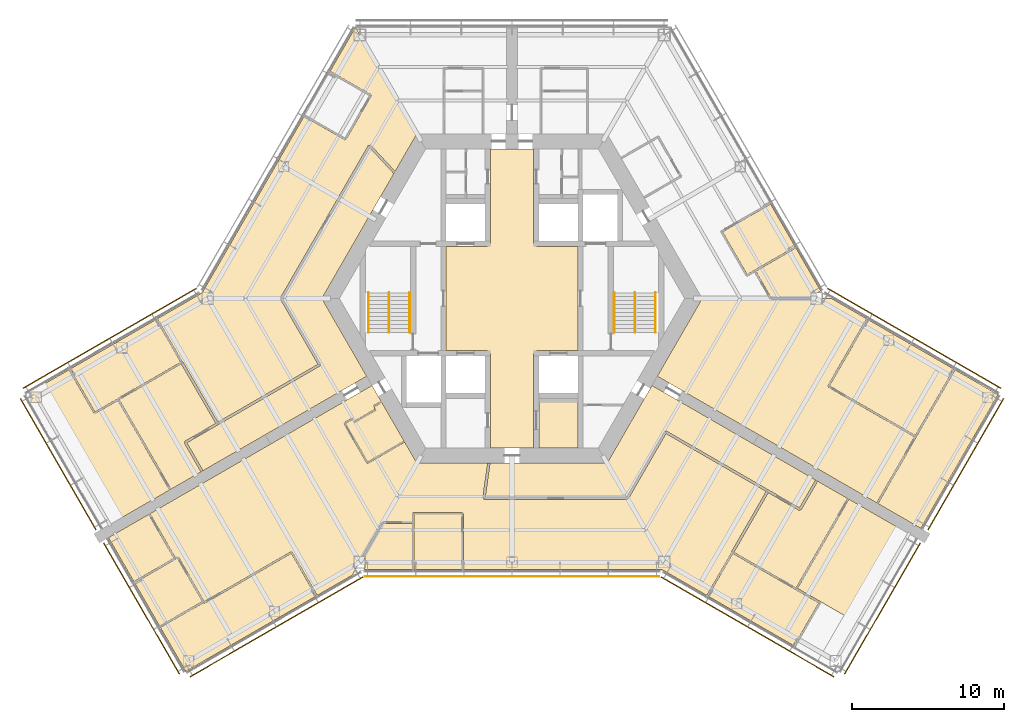
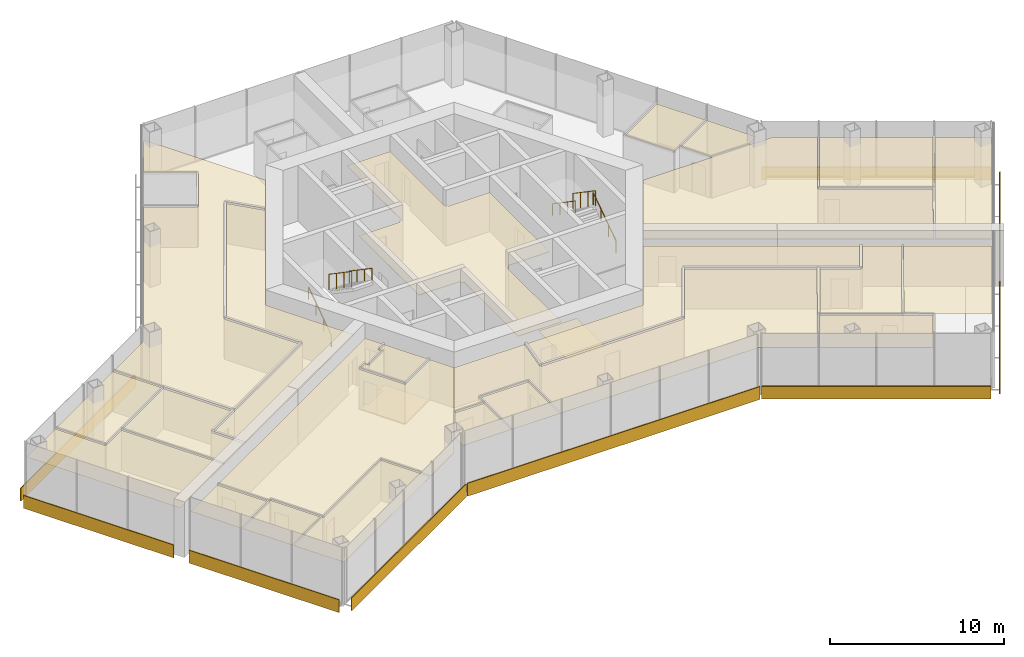
# One storey, part 17 of 18: 25 coverings, 9 shading devices, 6 railings.
"""IFC4 building model written with IfcOpenShell, lengths in metres."""

from ifc_helpers import new_model, si_unit, direction, frame, origin, origin_2d, place, context, subcontext, project, spatial, polyline, rectangle, circle, outline, extrude, material, layer, layer_set, type_object, element, save


model = new_model("IFC4")

# Units and contexts
model_context = context("Model", 3, precision=1e-05, world=origin(), true_north=direction((0.0, 1.0)))
body_context = subcontext(model_context, "Body", "Model", "MODEL_VIEW")
ifc_project = project(units=[si_unit("LENGTHUNIT", "METRE"), si_unit("AREAUNIT", "SQUARE_METRE"), si_unit("VOLUMEUNIT", "CUBIC_METRE"), si_unit("PLANEANGLEUNIT", "RADIAN"), si_unit("MASSUNIT", "GRAM", prefix="KILO")], contexts=[model_context])

# Site, building, storey
site_placement = place(None, origin())
site = spatial("IfcSite", under=ifc_project, at=site_placement, CompositionType="ELEMENT")
building_placement = place(site_placement, origin())
building = spatial("IfcBuilding", under=site, at=building_placement, Name="Kasaneha Research Tower", CompositionType="ELEMENT")
storey_placement = place(building_placement, frame((0.0, 0.0, 191.60009765625)))
storey = spatial("IfcBuildingStorey", under=building, at=storey_placement, Name="L48", CompositionType="ELEMENT", Elevation=191.60009765625)

# Covering
ifc_material_1 = material(Name="Aluminium panel ceiling", Category="aluminium")
ifc_layer_1 = layer(ifc_material_1, 0.0400390625)
ifc_layer_set_1 = layer_set([ifc_layer_1], Name="Lift lobby ceiling 40")
covering_type_1 = type_object("IfcCoveringType", Name="Lift lobby ceiling 40", PredefinedType="CEILING", material=ifc_layer_set_1)
covering_1_placement = place(storey_placement, frame((0.0, 0.0, 2.699951171875)))
element("IfcCovering", 1, at=covering_1_placement, inside=storey, type_object=covering_type_1, Name="Ceiling L48-01", PredefinedType="CEILING", context=body_context, shape_type="SweptSolid", body=[
    extrude(outline(polyline([(1.425048828125, 9.824951171875), (1.425048828125, 3.60009765625), (1.60009765625, 3.60009765625), (1.60009765625, 3.425048828125), (4.324951171875, 3.425048828125), (4.324951171875, -3.425048828125), (1.60009765625, -3.425048828125), (1.60009765625, -3.60009765625), (1.425048828125, -3.60009765625), (1.425048828125, -9.824951171875), (-1.425048828125, -9.824951171875), (-1.425048828125, -3.60009765625), (-1.60009765625, -3.60009765625), (-1.60009765625, -3.425048828125), (-4.324951171875, -3.425048828125), (-4.324951171875, 3.425048828125), (-1.60009765625, 3.425048828125), (-1.60009765625, 3.60009765625), (-1.425048828125, 3.60009765625), (-1.425048828125, 9.824951171875), (1.425048828125, 9.824951171875)])), origin(), (0.0, 0.0, 1.0), 0.0400390625),
])

# Railings
ifc_material_2 = material(Name="Steel", Category="steel")
railing_type_1 = type_object("IfcRailingType", Name="Stair balustrade 1100", PredefinedType="GUARDRAIL", material=ifc_material_2)
for number, where, name in (
    (2, (8.074951171875, 0.375, 2.127197265625), "Stair 1 balustrade L48"),
    (3, (-8.074951171875, 0.375, 2.127197265625), "Stair 2 balustrade L48"),
):
    element("IfcRailing", number, at=place(storey_placement, frame(where)), inside=storey, type_object=railing_type_1, Name=name, PredefinedType="GUARDRAIL", context=body_context, shape_type="SweptSolid", body=[
        extrude(circle(Radius=0.02392578125, at=origin_2d()), frame((0.0, 0.0, 1.076171875), z_axis=(0.0, -0.826240473404, 0.563317565952), x_axis=(1.0, 0.0, 0.0)), (0.0, 0.0, 1.0), 3.14697265625),
        extrude(circle(Radius=0.02099609375, at=origin_2d()), origin(), (0.0, 0.0, 1.0), 1.052001953125),
        extrude(circle(Radius=0.02099609375, at=origin_2d()), frame((0.0, -0.86669921875, 0.5908203125)), (0.0, 0.0, 1.0), 1.052001953125),
        extrude(circle(Radius=0.02099609375, at=origin_2d()), frame((0.0, -1.7333984375, 1.181884765625)), (0.0, 0.0, 1.0), 1.052001953125),
        extrude(circle(Radius=0.02099609375, at=origin_2d()), frame((0.0, -2.60009765625, 1.772705078125)), (0.0, 0.0, 1.0), 1.052001953125),
    ])
ifc_material_3 = material(Name="Steel", Category="steel")
railing_type_2 = type_object("IfcRailingType", Name="Stair handrail 850", PredefinedType="HANDRAIL", material=ifc_material_3)
railing_1_placement = place(storey_placement, frame((9.425048828125, -2.22509765625, 0.17724609375)))
element("IfcRailing", 4, at=railing_1_placement, inside=storey, type_object=railing_type_2, Name="Stair 1 handrail L48", PredefinedType="HANDRAIL", context=body_context, shape_type="SweptSolid", body=[
    extrude(circle(Radius=0.02392578125, at=origin_2d()), frame((0.0, 0.0, 0.826171875), z_axis=(0.0, 0.826240473404, 0.563317565952), x_axis=(-1.0, 0.0, 0.0)), (0.0, 0.0, 1.0), 3.14697265625),
    extrude(circle(Radius=0.02099609375, at=origin_2d()), origin(), (0.0, 0.0, 1.0), 0.802001953125),
    extrude(circle(Radius=0.02099609375, at=origin_2d()), frame((0.0, 0.86669921875, 0.5908203125)), (0.0, 0.0, 1.0), 0.802001953125),
    extrude(circle(Radius=0.02099609375, at=origin_2d()), frame((0.0, 1.7333984375, 1.181884765625)), (0.0, 0.0, 1.0), 0.802001953125),
    extrude(circle(Radius=0.02099609375, at=origin_2d()), frame((0.0, 2.60009765625, 1.772705078125)), (0.0, 0.0, 1.0), 0.802001953125),
])
railing_2_placement = place(storey_placement, frame((6.72509765625, 0.375, 2.127197265625)))
element("IfcRailing", 5, at=railing_2_placement, inside=storey, type_object=railing_type_2, Name="Stair 1 handrail L48", PredefinedType="HANDRAIL", context=body_context, shape_type="SweptSolid", body=[
    extrude(circle(Radius=0.02392578125, at=origin_2d()), frame((0.0, 0.0, 0.826171875), z_axis=(0.0, -0.826240473404, 0.563317565952), x_axis=(1.0, 0.0, 0.0)), (0.0, 0.0, 1.0), 3.14697265625),
    extrude(circle(Radius=0.02099609375, at=origin_2d()), origin(), (0.0, 0.0, 1.0), 0.802001953125),
    extrude(circle(Radius=0.02099609375, at=origin_2d()), frame((0.0, -0.86669921875, 0.5908203125)), (0.0, 0.0, 1.0), 0.802001953125),
    extrude(circle(Radius=0.02099609375, at=origin_2d()), frame((0.0, -1.7333984375, 1.181884765625)), (0.0, 0.0, 1.0), 0.802001953125),
    extrude(circle(Radius=0.02099609375, at=origin_2d()), frame((0.0, -2.60009765625, 1.772705078125)), (0.0, 0.0, 1.0), 0.802001953125),
])
railing_3_placement = place(storey_placement, frame((-9.425048828125, -2.22509765625, 0.17724609375)))
element("IfcRailing", 6, at=railing_3_placement, inside=storey, type_object=railing_type_2, Name="Stair 2 handrail L48", PredefinedType="HANDRAIL", context=body_context, shape_type="SweptSolid", body=[
    extrude(circle(Radius=0.02392578125, at=origin_2d()), frame((0.0, 0.0, 0.826171875), z_axis=(0.0, 0.826240473404, 0.563317565952), x_axis=(-1.0, 0.0, 0.0)), (0.0, 0.0, 1.0), 3.14697265625),
    extrude(circle(Radius=0.02099609375, at=origin_2d()), origin(), (0.0, 0.0, 1.0), 0.802001953125),
    extrude(circle(Radius=0.02099609375, at=origin_2d()), frame((0.0, 0.86669921875, 0.5908203125)), (0.0, 0.0, 1.0), 0.802001953125),
    extrude(circle(Radius=0.02099609375, at=origin_2d()), frame((0.0, 1.7333984375, 1.181884765625)), (0.0, 0.0, 1.0), 0.802001953125),
    extrude(circle(Radius=0.02099609375, at=origin_2d()), frame((0.0, 2.60009765625, 1.772705078125)), (0.0, 0.0, 1.0), 0.802001953125),
])
railing_4_placement = place(storey_placement, frame((-6.72509765625, 0.375, 2.127197265625)))
element("IfcRailing", 7, at=railing_4_placement, inside=storey, type_object=railing_type_2, Name="Stair 2 handrail L48", PredefinedType="HANDRAIL", context=body_context, shape_type="SweptSolid", body=[
    extrude(circle(Radius=0.02392578125, at=origin_2d()), frame((0.0, 0.0, 0.826171875), z_axis=(0.0, -0.826240473404, 0.563317565952), x_axis=(1.0, 0.0, 0.0)), (0.0, 0.0, 1.0), 3.14697265625),
    extrude(circle(Radius=0.02099609375, at=origin_2d()), origin(), (0.0, 0.0, 1.0), 0.802001953125),
    extrude(circle(Radius=0.02099609375, at=origin_2d()), frame((0.0, -0.86669921875, 0.5908203125)), (0.0, 0.0, 1.0), 0.802001953125),
    extrude(circle(Radius=0.02099609375, at=origin_2d()), frame((0.0, -1.7333984375, 1.181884765625)), (0.0, 0.0, 1.0), 0.802001953125),
    extrude(circle(Radius=0.02099609375, at=origin_2d()), frame((0.0, -2.60009765625, 1.772705078125)), (0.0, 0.0, 1.0), 0.802001953125),
])

# Coverings
ifc_material_4 = material(Name="Gypsum ceiling board", Category="gypsum")
ifc_layer_2 = layer(ifc_material_4, 0.02001953125)
ifc_layer_set_2 = layer_set([ifc_layer_2], Name="Suspended ceiling 20")
covering_type_2 = type_object("IfcCoveringType", Name="Suspended ceiling 20", PredefinedType="CEILING", material=ifc_layer_set_2)
covering_2_placement = place(storey_placement, frame((0.0, 0.0, 2.7998046875)))
element("IfcCovering", 8, at=covering_2_placement, inside=storey, type_object=covering_type_2, Name="Ceiling L48-30", PredefinedType="CEILING", context=body_context, shape_type="SweptSolid", body=[
    extrude(outline(polyline([(18.63720703125, 3.360595703125), (18.619873046875, 3.3505859375), (18.5947265625, 3.393798828125), (15.923095703125, 1.851318359375), (15.923095703125, 1.851318359375), (15.451171875, 1.578857421875), (13.835693359375, 4.376953125), (16.99658203125, 6.201904296875), (18.63720703125, 3.360595703125)])), origin(), (0.0, 0.0, 1.0), 0.02001953125),
])
covering_3_placement = place(storey_placement, frame((0.0, 0.0, 2.7998046875)))
element("IfcCovering", 9, at=covering_3_placement, inside=storey, type_object=covering_type_2, Name="Ceiling L48-31", PredefinedType="CEILING", context=body_context, shape_type="SweptSolid", body=[
    extrude(outline(polyline([(16.997802734375, 0.0), (16.986328125, 0.02001953125), (17.029541015625, 0.044921875), (16.024658203125, 1.79443359375), (18.644775390625, 3.30712890625), (18.619873046875, 3.3505859375), (18.63720703125, 3.360595703125), (20.28759765625, 0.501708984375), (19.41845703125, 0.0), (16.997802734375, 0.0)])), origin(), (0.0, 0.0, 1.0), 0.02001953125),
])
covering_4_placement = place(storey_placement, frame((0.0, 0.0, 2.7998046875)))
element("IfcCovering", 10, at=covering_4_placement, inside=storey, type_object=covering_type_2, Name="Ceiling L48-36", PredefinedType="CEILING", context=body_context, shape_type="SweptSolid", body=[
    extrude(outline(polyline([(-9.5498046875, -5.109375), (-10.3291015625, -5.559326171875), (-10.3291015625, -5.559326171875), (-20.37109375, -11.357177734375), (-20.381103515625, -11.33984375), (-20.316162109375, -11.30224609375), (-21.36865234375, -9.479248046875), (-19.333984375, -8.3046875), (-19.333984375, -8.3046875), (-12.60400390625, -4.4189453125), (-12.6416015625, -4.35400390625), (-12.57666015625, -4.316650390625), (-15.06884765625, 0.0), (-9.345947265625, 9.912353515625), (-7.7890625, 8.24267578125), (-7.734130859375, 8.2939453125), (-7.719970703125, 8.278564453125), (-12.49951171875, 0.0), (-9.5498046875, -5.109375)])), origin(), (0.0, 0.0, 1.0), 0.02001953125),
])
covering_5_placement = place(storey_placement, frame((0.0, 0.0, 2.7998046875)))
element("IfcCovering", 11, at=covering_5_placement, inside=storey, type_object=covering_type_2, Name="Ceiling L48-37", PredefinedType="CEILING", context=body_context, shape_type="SweptSolid", body=[
    extrude(outline(polyline([(-29.075439453125, -4.661865234375), (-29.065185546875, -4.6796875), (-29.108642578125, -4.70458984375), (-27.46826171875, -7.544921875), (-27.425048828125, -7.52001953125), (-27.400146484375, -7.5634765625), (-25.89404296875, -6.69921875), (-22.5029296875, -12.56494140625), (-22.459716796875, -12.539794921875), (-22.44970703125, -12.55712890625), (-23.827392578125, -13.3525390625), (-26.866455078125, -15.107177734375), (-31.94189453125, -6.317138671875), (-29.075439453125, -4.661865234375)])), origin(), (0.0, 0.0, 1.0), 0.02001953125),
])
covering_6_placement = place(storey_placement, frame((0.0, 0.0, 2.7998046875)))
element("IfcCovering", 12, at=covering_6_placement, inside=storey, type_object=covering_type_2, Name="Ceiling L48-38", PredefinedType="CEILING", context=body_context, shape_type="SweptSolid", body=[
    extrude(outline(polyline([(-23.34228515625, -1.352294921875), (-23.332275390625, -1.36962890625), (-23.37548828125, -1.39453125), (-21.766845703125, -4.1904296875), (-25.903076171875, -6.583740234375), (-25.900634765625, -6.587890625), (-27.40673828125, -7.451904296875), (-29.02197265625, -4.654541015625), (-29.06494140625, -4.679443359375), (-29.074951171875, -4.662109375), (-23.34228515625, -1.352294921875)])), origin(), (0.0, 0.0, 1.0), 0.02001953125),
])
covering_7_placement = place(storey_placement, frame((0.0, 0.0, 2.7998046875)))
element("IfcCovering", 13, at=covering_7_placement, inside=storey, type_object=covering_type_2, Name="Ceiling L48-40", PredefinedType="CEILING", context=body_context, shape_type="SweptSolid", body=[
    extrude(outline(polyline([(-9.360595703125, 10.037841796875), (-9.360595703125, 10.037841796875), (-9.425048828125, 10.0751953125), (-15.220458984375, 0.03759765625), (-15.15576171875, 0.000244140625), (-15.156005859375, 0.000244140625), (-15.15576171875, -0.000244140625), (-15.220458984375, -0.03759765625), (-12.744140625, -4.32666015625), (-19.33544921875, -8.13232421875), (-21.62939453125, -4.16845703125), (-21.6552734375, -4.18359375), (-23.288818359375, -1.3447265625), (-23.331787109375, -1.369384765625), (-23.341796875, -1.35205078125), (-20.365966796875, 0.365966796875), (-13.64111328125, 12.01416015625), (-13.62353515625, 12.004150390625), (-13.6484375, 11.961181640625), (-10.981201171875, 10.421142578125), (-10.9560546875, 10.464599609375), (-10.912841796875, 10.439453125), (-9.247314453125, 13.32421875), (-9.290283203125, 13.34912109375), (-9.2900390625, 13.349365234375), (-9.29052734375, 13.349609375), (-9.265625, 13.392578125), (-11.9501953125, 14.9423828125), (-10.28857421875, 17.820556640625), (-6.249755859375, 10.824951171875), (-7.6806640625, 8.346435546875), (-9.305419921875, 10.0888671875), (-9.360107421875, 10.03759765625), (-9.3603515625, 10.03759765625), (-9.360595703125, 10.037841796875)])), origin(), (0.0, 0.0, 1.0), 0.02001953125),
])
covering_8_placement = place(storey_placement, frame((0.0, 0.0, 2.7998046875)))
element("IfcCovering", 14, at=covering_8_placement, inside=storey, type_object=covering_type_2, Name="Ceiling L48-41", PredefinedType="CEILING", context=body_context, shape_type="SweptSolid", body=[
    extrude(outline(polyline([(-22.44921875, -12.556884765625), (-22.459228515625, -12.53955078125), (-22.416259765625, -12.5146484375), (-25.809814453125, -6.64501953125), (-21.734130859375, -4.286865234375), (-19.46533203125, -8.207275390625), (-21.5087890625, -9.386962890625), (-21.47119140625, -9.451904296875), (-21.5361328125, -9.489501953125), (-20.446044921875, -11.377197265625), (-20.381591796875, -11.340087890625), (-20.37158203125, -11.357421875), (-22.44921875, -12.556884765625)])), origin(), (0.0, 0.0, 1.0), 0.02001953125),
])
covering_9_placement = place(storey_placement, frame((0.0, 0.0, 2.7998046875)))
element("IfcCovering", 15, at=covering_9_placement, inside=storey, type_object=covering_type_2, Name="Ceiling L48-42", PredefinedType="CEILING", context=body_context, shape_type="SweptSolid", body=[
    extrude(outline(polyline([(-10.35498046875, -8.11474609375), (-10.35498046875, -8.11474609375), (-10.330078125, -8.157958984375), (-8.9443359375, -7.35791015625), (-8.994384765625, -7.271240234375), (-8.994384765625, -7.271240234375), (-9.09423828125, -7.09814453125), (-9.09423828125, -7.09814453125), (-9.0693359375, -7.141357421875), (-8.56689453125, -6.851318359375), (-8.592041015625, -6.80810546875), (-8.57470703125, -6.798095703125), (-7.07470703125, -9.396240234375), (-7.092041015625, -9.40625), (-7.116943359375, -9.36279296875), (-9.481201171875, -10.727783203125), (-10.931396484375, -8.21630859375), (-10.455078125, -7.94140625), (-10.35498046875, -8.11474609375)])), origin(), (0.0, 0.0, 1.0), 0.02001953125),
])
covering_10_placement = place(storey_placement, frame((0.0, 0.0, 2.7998046875)))
element("IfcCovering", 16, at=covering_10_placement, inside=storey, type_object=covering_type_2, Name="Ceiling L48-43", PredefinedType="CEILING", context=body_context, shape_type="SweptSolid", body=[
    extrude(outline(polyline([(-19.11962890625, -21.9052734375), (-18.574951171875, -22.84912109375), (-21.441162109375, -24.50390625), (-23.108154296875, -21.617431640625), (-20.247314453125, -19.970947265625), (-20.2724609375, -19.927001953125), (-20.233154296875, -19.994384765625), (-20.22509765625, -19.99072265625), (-20.199951171875, -20.033935546875), (-14.510498046875, -16.749267578125), (-12.885498046875, -19.563720703125), (-18.574951171875, -22.8486328125), (-19.11962890625, -21.9052734375)])), origin(), (0.0, 0.0, 1.0), 0.02001953125),
])
covering_11_placement = place(storey_placement, frame((0.0, 0.0, 2.7998046875)))
element("IfcCovering", 17, at=covering_11_placement, inside=storey, type_object=covering_type_2, Name="Ceiling L48-44", PredefinedType="CEILING", context=body_context, shape_type="SweptSolid", body=[
    extrude(outline(polyline([(-24.7998046875, -18.686767578125), (-22.110595703125, -17.13427734375), (-22.1357421875, -17.091064453125), (-22.1005859375, -17.07080078125), (-22.1005859375, -17.07080078125), (-22.010009765625, -17.018310546875), (-20.344482421875, -19.911376953125), (-23.15771484375, -21.530517578125), (-24.7998046875, -18.686767578125)])), origin(), (0.0, 0.0, 1.0), 0.02001953125),
])
covering_12_placement = place(storey_placement, frame((0.0, 0.0, 2.7998046875)))
element("IfcCovering", 18, at=covering_12_placement, inside=storey, type_object=covering_type_2, Name="Ceiling L48-45", PredefinedType="CEILING", context=body_context, shape_type="SweptSolid", body=[
    extrude(outline(polyline([(-23.83154296875, -14.163330078125), (-23.82177734375, -14.1806640625), (-23.864990234375, -14.20556640625), (-22.212158203125, -17.077392578125), (-24.849609375, -18.60009765625), (-26.516357421875, -15.71337890625), (-23.83154296875, -14.163330078125)])), origin(), (0.0, 0.0, 1.0), 0.02001953125),
])
covering_13_placement = place(storey_placement, frame((0.0, 0.0, 2.7998046875)))
element("IfcCovering", 19, at=covering_13_placement, inside=storey, type_object=covering_type_2, Name="Ceiling L48-46", PredefinedType="CEILING", context=body_context, shape_type="SweptSolid", body=[
    extrude(outline(polyline([(-9.19970703125, -5.715576171875), (-8.574951171875, -6.797607421875), (-8.59228515625, -6.8076171875), (-8.616943359375, -6.764892578125), (-9.119384765625, -7.0546875), (-9.094482421875, -7.09765625), (-9.0947265625, -7.097900390625), (-8.99462890625, -7.271484375), (-10.379638671875, -8.071044921875), (-10.47998046875, -7.897705078125), (-10.480224609375, -7.897705078125), (-10.5048828125, -7.854736328125), (-11.024658203125, -8.15478515625), (-10.999755859375, -8.19775390625), (-11.0, -8.197998046875), (-11.0, -8.1982421875), (-11.04296875, -8.22314453125), (-9.54296875, -10.8212890625), (-9.5, -10.79638671875), (-9.5, -10.796630859375), (-9.49951171875, -10.79638671875), (-9.474609375, -10.839599609375), (-7.06689453125, -9.449462890625), (-7.091796875, -9.40673828125), (-7.074462890625, -9.396728515625), (-6.249755859375, -10.824951171875), (-8.469970703125, -14.67041015625), (-8.4755859375, -14.67041015625), (-8.475830078125, -14.680419921875), (-10.5, -18.1865234375), (-12.798828125, -19.513916015625), (-14.448974609375, -16.656005859375), (-14.4921875, -16.680908203125), (-14.492431640625, -16.680419921875), (-14.492431640625, -16.680419921875), (-14.51708984375, -16.6376953125), (-20.25, -19.947509765625), (-20.2255859375, -19.989990234375), (-20.233154296875, -19.994384765625), (-20.274169921875, -19.923095703125), (-20.2353515625, -19.900634765625), (-21.923583984375, -16.968505859375), (-21.977294921875, -16.99951171875), (-22.100830078125, -17.0703125), (-23.7783203125, -14.15576171875), (-23.8212890625, -14.180419921875), (-23.831298828125, -14.1630859375), (-10.84521484375, -6.66552734375), (-10.84521484375, -6.66552734375), (-9.979248046875, -6.16552734375), (-9.979248046875, -6.16552734375), (-9.19970703125, -5.715576171875)])), origin(), (0.0, 0.0, 1.0), 0.02001953125),
])
covering_14_placement = place(storey_placement, frame((0.0, 0.0, 2.7998046875)))
element("IfcCovering", 20, at=covering_14_placement, inside=storey, type_object=covering_type_2, Name="Ceiling L48-47", PredefinedType="CEILING", context=body_context, shape_type="SweptSolid", body=[
    extrude(outline(polyline([(29.03173828125, -4.63720703125), (26.50390625, -9.00439453125), (20.860595703125, -5.750732421875), (23.37548828125, -1.39453125), (23.332275390625, -1.36962890625), (23.34228515625, -1.352294921875), (29.03173828125, -4.63720703125)])), origin(), (0.0, 0.0, 1.0), 0.02001953125),
])
covering_15_placement = place(storey_placement, frame((0.0, 0.0, 2.7998046875)))
element("IfcCovering", 21, at=covering_15_placement, inside=storey, type_object=covering_type_2, Name="Ceiling L48-48", PredefinedType="CEILING", context=body_context, shape_type="SweptSolid", body=[
    extrude(outline(polyline([(24.007568359375, -13.45654296875), (24.017578125, -13.439208984375), (24.06103515625, -13.464111328125), (26.56982421875, -9.10009765625), (26.5654296875, -9.09765625), (29.11865234375, -4.686767578125), (31.94189453125, -6.317138671875), (26.866455078125, -15.107177734375), (26.86328125, -15.10546875), (24.007568359375, -13.45654296875)])), origin(), (0.0, 0.0, 1.0), 0.02001953125),
])
covering_16_placement = place(storey_placement, frame((0.0, 0.0, 2.7998046875)))
element("IfcCovering", 22, at=covering_16_placement, inside=storey, type_object=covering_type_2, Name="Ceiling L48-49", PredefinedType="CEILING", context=body_context, shape_type="SweptSolid", body=[
    extrude(outline(polyline([(9.5498046875, -5.109375), (12.49951171875, 0.0), (16.93994140625, 0.0), (16.94287109375, -0.0048828125), (16.951416015625, 0.0), (21.0, 0.0), (23.341796875, -1.35205078125), (23.331787109375, -1.369384765625), (23.288818359375, -1.344482421875), (20.748779296875, -5.743896484375), (20.7919921875, -5.768798828125), (20.791748046875, -5.769287109375), (20.7919921875, -5.769287109375), (20.767333984375, -5.812255859375), (26.458251953125, -9.093505859375), (23.974365234375, -13.414306640625), (24.017578125, -13.439208984375), (24.007568359375, -13.45654296875), (15.246826171875, -8.398681640625), (10.3291015625, -5.559326171875), (10.3291015625, -5.559326171875), (9.5498046875, -5.109375)])), origin(), (0.0, 0.0, 1.0), 0.02001953125),
])
covering_17_placement = place(storey_placement, frame((0.0, 0.0, 2.7998046875)))
element("IfcCovering", 23, at=covering_17_placement, inside=storey, type_object=covering_type_2, Name="Ceiling L48-50", PredefinedType="CEILING", context=body_context, shape_type="SweptSolid", body=[
    extrude(outline(polyline([(10.091552734375, -8.77099609375), (10.026611328125, -8.7333984375), (7.534423828125, -13.050048828125), (-1.75830078125, -13.050048828125), (-1.449951171875, -10.85546875), (-1.524169921875, -10.844970703125), (-1.521240234375, -10.824951171875), (6.249755859375, -10.824951171875), (9.19970703125, -5.715576171875), (9.979248046875, -6.16552734375), (9.979248046875, -6.16552734375), (10.84521484375, -6.66552734375), (10.84521484375, -6.66552734375), (20.021240234375, -11.96337890625), (20.01123046875, -11.980712890625), (19.9462890625, -11.943115234375), (18.893798828125, -13.76611328125), (16.850341796875, -12.58642578125), (16.850341796875, -12.58642578125), (10.129150390625, -8.7060546875), (10.091552734375, -8.77099609375), (10.091552734375, -8.770751953125), (10.091552734375, -8.77099609375)])), origin(), (0.0, 0.0, 1.0), 0.02001953125),
])
covering_18_placement = place(storey_placement, frame((0.0, 0.0, 2.7998046875)))
element("IfcCovering", 24, at=covering_18_placement, inside=storey, type_object=covering_type_2, Name="Ceiling L48-51", PredefinedType="CEILING", context=body_context, shape_type="SweptSolid", body=[
    extrude(outline(polyline([(18.762939453125, -19.050537109375), (22.1328125, -13.20556640625), (22.089599609375, -13.1806640625), (22.099609375, -13.163330078125), (26.516357421875, -15.71337890625), (23.133056640625, -21.573486328125), (18.762939453125, -19.050537109375)])), origin(), (0.0, 0.0, 1.0), 0.02001953125),
])
covering_19_placement = place(storey_placement, frame((0.0, 0.0, 2.7998046875)))
element("IfcCovering", 25, at=covering_19_placement, inside=storey, type_object=covering_type_2, Name="Ceiling L48-52", PredefinedType="CEILING", context=body_context, shape_type="SweptSolid", body=[
    extrude(outline(polyline([(-6.492919921875, -17.820556640625), (-6.492919921875, -17.800537109375), (-6.44287109375, -17.800537109375), (-6.44287109375, -14.72509765625), (-6.44287109375, -14.715576171875), (-6.44287109375, -14.17041015625), (-3.29638671875, -14.17041015625), (-3.29638671875, -17.800537109375), (-3.246337890625, -17.800537109375), (-3.246337890625, -17.820556640625), (-6.492919921875, -17.820556640625)])), origin(), (0.0, 0.0, 1.0), 0.02001953125),
])
covering_20_placement = place(storey_placement, frame((0.0, 0.0, 2.7998046875)))
element("IfcCovering", 26, at=covering_20_placement, inside=storey, type_object=covering_type_2, Name="Ceiling L48-53", PredefinedType="CEILING", context=body_context, shape_type="SweptSolid", body=[
    extrude(outline(polyline([(12.885498046875, -19.563720703125), (14.512451171875, -16.75537109375), (18.653076171875, -19.140869140625), (18.655517578125, -19.13671875), (20.15673828125, -20.0087890625), (18.531982421875, -22.82373046875), (12.885498046875, -19.563720703125)])), origin(), (0.0, 0.0, 1.0), 0.02001953125),
])
covering_21_placement = place(storey_placement, frame((0.0, 0.0, 2.7998046875)))
element("IfcCovering", 27, at=covering_21_placement, inside=storey, type_object=covering_type_2, Name="Ceiling L48-54", PredefinedType="CEILING", context=body_context, shape_type="SweptSolid", body=[
    extrude(outline(polyline([(-9.709228515625, -16.81689453125), (-8.498779296875, -14.720458984375), (-8.475830078125, -14.720458984375), (-8.475830078125, -14.7705078125), (-6.542724609375, -14.77490234375), (-6.542724609375, -17.800537109375), (-6.492919921875, -17.800537109375), (-6.492919921875, -17.820556640625), (-9.709228515625, -17.820556640625), (-9.709228515625, -16.81689453125)])), origin(), (0.0, 0.0, 1.0), 0.02001953125),
])
covering_22_placement = place(storey_placement, frame((0.0, 0.0, 2.7998046875)))
element("IfcCovering", 28, at=covering_22_placement, inside=storey, type_object=covering_type_2, Name="Ceiling L48-55", PredefinedType="CEILING", context=body_context, shape_type="SweptSolid", body=[
    extrude(outline(polyline([(-3.246337890625, -14.1201171875), (-3.246337890625, -14.070556640625), (-6.492919921875, -14.070556640625), (-6.492919921875, -14.1201171875), (-6.492919921875, -14.1201171875), (-6.492919921875, -14.12060546875), (-6.542724609375, -14.12060546875), (-6.542724609375, -14.6748046875), (-8.469970703125, -14.67041015625), (-6.249755859375, -10.824951171875), (-1.52197265625, -10.824951171875), (-1.524658203125, -10.844970703125), (-1.598388671875, -10.83447265625), (-1.9189453125, -13.114501953125), (-1.8447265625, -13.125), (-1.8447265625, -13.12548828125), (-1.844482421875, -13.12548828125), (-1.844482421875, -13.199951171875), (7.57763671875, -13.199951171875), (7.57763671875, -13.12548828125), (7.577880859375, -13.12548828125), (7.577880859375, -13.125244140625), (7.642578125, -13.16259765625), (10.119140625, -8.873291015625), (16.71044921875, -12.678955078125), (14.4248046875, -16.647216796875), (14.45068359375, -16.662353515625), (12.798828125, -19.513916015625), (9.865966796875, -17.820556640625), (-3.245849609375, -17.820556640625), (-3.245849609375, -17.800537109375), (-3.1962890625, -17.800537109375), (-3.1962890625, -14.12060546875), (-3.24609375, -14.12060546875), (-3.24609375, -14.1201171875), (-3.246337890625, -14.1201171875)])), origin(), (0.0, 0.0, 1.0), 0.02001953125),
])
covering_23_placement = place(storey_placement, frame((0.0, 0.0, 2.7998046875)))
element("IfcCovering", 29, at=covering_23_placement, inside=storey, type_object=covering_type_2, Name="Ceiling L48-56", PredefinedType="CEILING", context=body_context, shape_type="SweptSolid", body=[
    extrude(outline(polyline([(22.09912109375, -13.1630859375), (22.089111328125, -13.180419921875), (22.04638671875, -13.15576171875), (18.65966796875, -19.029296875), (14.57958984375, -16.6787109375), (16.84033203125, -12.75390625), (18.8837890625, -13.93359375), (18.921142578125, -13.86865234375), (18.986083984375, -13.906005859375), (20.076171875, -12.018310546875), (20.011474609375, -11.98095703125), (20.021484375, -11.963623046875), (22.09912109375, -13.1630859375)])), origin(), (0.0, 0.0, 1.0), 0.02001953125),
])

# Shading devices
ifc_material_5 = material(Name="Terracotta", Category="masonry")
ifc_layer_3 = layer(ifc_material_5, 0.06005859375)
ifc_layer_set_3 = layer_set([ifc_layer_3], Name="Terracotta baguette screen")
shading_device_type = type_object("IfcShadingDeviceType", Name="Terracotta baguette screen", PredefinedType="USERDEFINED", material=ifc_layer_set_3)
shading_device_1_placement = place(storey_placement, frame((0.0, -18.2705078125, -0.449951171875), z_axis=(0.0, 0.0, 1.0), x_axis=(1.0, 0.0, 0.0)))
element("IfcShadingDevice", 30, at=shading_device_1_placement, inside=storey, type_object=shading_device_type, Name="Baguette screen L48 01", ObjectType="TERRACOTTA BAGUETTE SCREEN", PredefinedType="USERDEFINED", context=body_context, shape_type="SweptSolid", body=[
    extrude(rectangle(XDim=19.37841796875, YDim=0.06005859375, at=origin_2d()), origin(), (0.0, 0.0, 1.0), 0.89990234375),
])
shading_device_2_placement = place(storey_placement, frame((15.483642578125, -21.58349609375, -0.449951171875), z_axis=(0.0, 0.0, 1.0), x_axis=(0.866025411464, -0.499999986699, 0.0)))
element("IfcShadingDevice", 31, at=shading_device_2_placement, inside=storey, type_object=shading_device_type, Name="Baguette screen L48 02", ObjectType="TERRACOTTA BAGUETTE SCREEN", PredefinedType="USERDEFINED", context=body_context, shape_type="SweptSolid", body=[
    extrude(rectangle(XDim=13.13916015625, YDim=0.06005859375, at=origin_2d()), origin(), (0.0, 0.0, 1.0), 0.89990234375),
])
for number, where, z_axis, x_axis, name in (
    (32, (24.343505859375, -20.376708984375, -0.449951171875), (0.0, 0.0, 1.0), (0.500000011442, 0.866025397178, 0.0), "Baguette screen L48 03"),
    (33, (29.818603515625, -10.893798828125, -0.449951171875), (0.0, 0.0, 1.0), (0.500000011442, 0.866025397178, 0.0), "Baguette screen L48 04"),
):
    element("IfcShadingDevice", number, at=place(storey_placement, frame(where, z_axis=z_axis, x_axis=x_axis)), inside=storey, type_object=shading_device_type, Name=name, ObjectType="TERRACOTTA BAGUETTE SCREEN", PredefinedType="USERDEFINED", context=body_context, shape_type="SweptSolid", body=[
        extrude(rectangle(XDim=9.949951171875, YDim=0.06005859375, at=origin_2d()), origin(), (0.0, 0.0, 1.0), 0.89990234375),
    ])
for number, where, z_axis, x_axis, name in (
    (34, (26.43359375, -2.617431640625, -0.449951171875), (0.0, 0.0, 1.0), (-0.866025411464, 0.499999986699, 0.0), "Baguette screen L48 05"),
    (35, (-26.43359375, -2.617431640625, -0.449951171875), (0.0, 0.0, 1.0), (-0.866025411464, -0.499999986699, 0.0), "Baguette screen L48 09"),
):
    element("IfcShadingDevice", number, at=place(storey_placement, frame(where, z_axis=z_axis, x_axis=x_axis)), inside=storey, type_object=shading_device_type, Name=name, ObjectType="TERRACOTTA BAGUETTE SCREEN", PredefinedType="USERDEFINED", context=body_context, shape_type="SweptSolid", body=[
        extrude(rectangle(XDim=13.13916015625, YDim=0.06005859375, at=origin_2d()), origin(), (0.0, 0.0, 1.0), 0.89990234375),
    ])
for number, where, z_axis, x_axis, name in (
    (36, (-29.818603515625, -10.893798828125, -0.449951171875), (0.0, 0.0, 1.0), (0.500000011442, -0.866025397178, 0.0), "Baguette screen L48 10"),
    (37, (-24.343505859375, -20.376708984375, -0.449951171875), (0.0, 0.0, 1.0), (0.500000011442, -0.866025397178, 0.0), "Baguette screen L48 11"),
):
    element("IfcShadingDevice", number, at=place(storey_placement, frame(where, z_axis=z_axis, x_axis=x_axis)), inside=storey, type_object=shading_device_type, Name=name, ObjectType="TERRACOTTA BAGUETTE SCREEN", PredefinedType="USERDEFINED", context=body_context, shape_type="SweptSolid", body=[
        extrude(rectangle(XDim=9.949951171875, YDim=0.06005859375, at=origin_2d()), origin(), (0.0, 0.0, 1.0), 0.89990234375),
    ])
shading_device_3_placement = place(storey_placement, frame((-15.483642578125, -21.58349609375, -0.449951171875), z_axis=(0.0, 0.0, 1.0), x_axis=(0.866025411464, 0.499999986699, 0.0)))
element("IfcShadingDevice", 38, at=shading_device_3_placement, inside=storey, type_object=shading_device_type, Name="Baguette screen L48 12", ObjectType="TERRACOTTA BAGUETTE SCREEN", PredefinedType="USERDEFINED", context=body_context, shape_type="SweptSolid", body=[
    extrude(rectangle(XDim=13.13916015625, YDim=0.06005859375, at=origin_2d()), origin(), (0.0, 0.0, 1.0), 0.89990234375),
])

# Coverings
ifc_material_6 = material(Name="Vinyl sheet flooring", Category="plastic")
ifc_layer_4 = layer(ifc_material_6, 0.0048828125)
ifc_layer_set_4 = layer_set([ifc_layer_4], Name="Wet room sheet flooring 5")
covering_type_3 = type_object("IfcCoveringType", Name="Wet room sheet flooring 5", PredefinedType="FLOORING", material=ifc_layer_set_4)
covering_24_placement = place(storey_placement, origin())
element("IfcCovering", 39, at=covering_24_placement, inside=storey, type_object=covering_type_3, Name="Floor finish L48-13", PredefinedType="FLOORING", context=body_context, shape_type="SweptSolid", body=[
    extrude(outline(polyline([(1.77490234375, -9.824951171875), (1.77490234375, -6.574951171875), (4.324951171875, -6.574951171875), (4.324951171875, -9.824951171875), (1.77490234375, -9.824951171875)])), origin(), (0.0, 0.0, 1.0), 0.0048828125),
])
covering_25_placement = place(storey_placement, origin())
element("IfcCovering", 40, at=covering_25_placement, inside=storey, type_object=covering_type_3, Name="Floor finish L48-42", PredefinedType="FLOORING", context=body_context, shape_type="SweptSolid", body=[
    extrude(outline(polyline([(-10.99951171875, -8.1982421875), (-10.47998046875, -7.898193359375), (-10.35498046875, -8.11474609375), (-8.96923828125, -7.314697265625), (-9.09423828125, -7.09814453125), (-8.57470703125, -6.798095703125), (-7.07470703125, -9.396240234375), (-9.49951171875, -10.796142578125), (-10.99951171875, -8.1982421875)])), origin(), (0.0, 0.0, 1.0), 0.0048828125),
])

save(model, "model.ifc")
